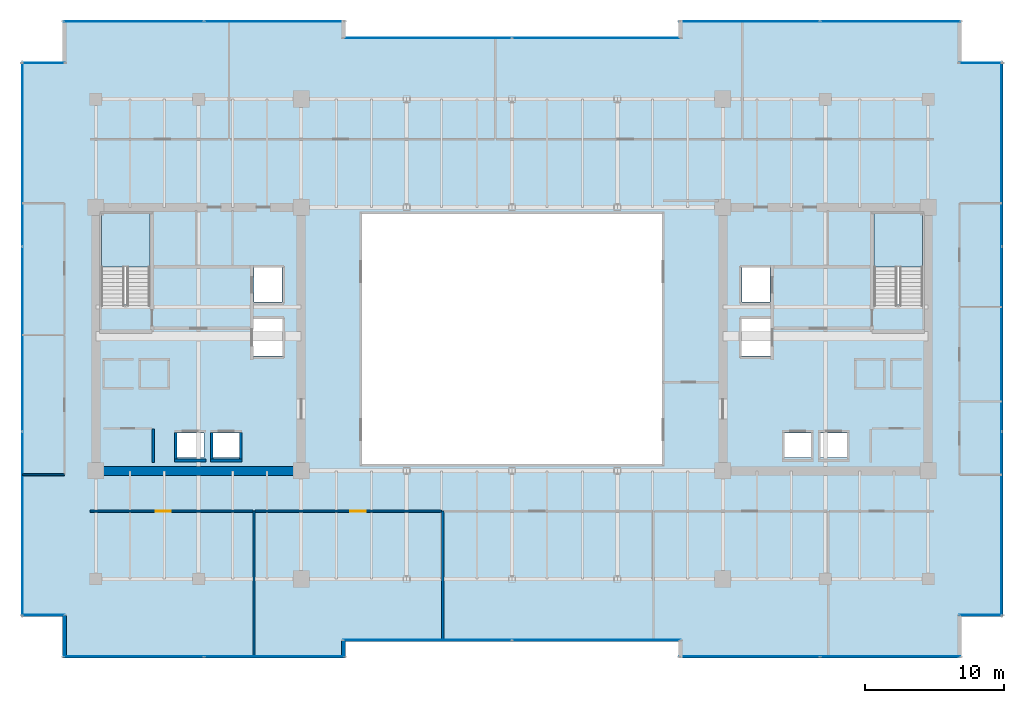
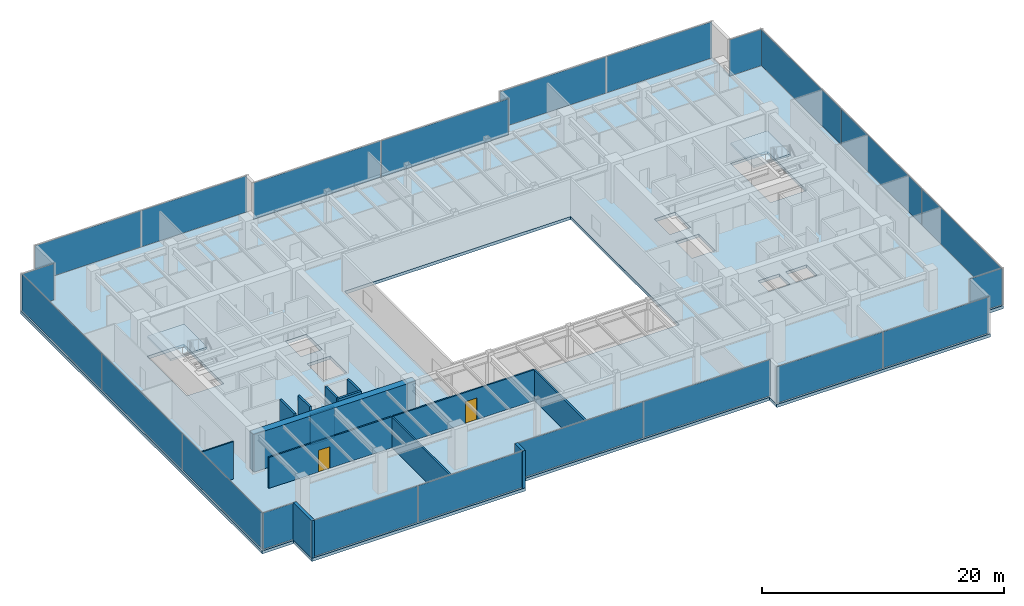
# One storey, part 24 of 30: 22 plates, 14 walls, 3 slabs, 2 doors, 2 openings, 14 elements without a shape of their own.
"""IFC4 building model written with IfcOpenShell, lengths in metres."""

from ifc_helpers import new_model, si_unit, direction, frame, frame_2d, origin, origin_2d, place, context, subcontext, project, spatial, polyline, rectangle, outline, extrude, source, transform, mapped, material, layer, layer_set, type_object, type_shapes, element, fill, aggregate, save


model = new_model("IFC4")

# Units and contexts
model_context = context("Model", 3, precision=1e-05, world=origin(), true_north=direction((0.0, 1.0)))
body_context = subcontext(model_context, "Body", "Model", "MODEL_VIEW")
ifc_project = project(units=[si_unit("LENGTHUNIT", "METRE"), si_unit("AREAUNIT", "SQUARE_METRE"), si_unit("VOLUMEUNIT", "CUBIC_METRE"), si_unit("PLANEANGLEUNIT", "RADIAN"), si_unit("MASSUNIT", "GRAM", prefix="KILO")], contexts=[model_context])

# Site, building, storey
site_placement = place(None, origin())
site = spatial("IfcSite", under=ifc_project, at=site_placement, CompositionType="ELEMENT")
building_placement = place(site_placement, origin())
building = spatial("IfcBuilding", under=site, at=building_placement, Name="Haelvirn Gate Laboratories", CompositionType="ELEMENT")
storey_placement = place(building_placement, frame((0.0, 0.0, 142.0)))
storey = spatial("IfcBuildingStorey", under=building, at=storey_placement, Name="L34", CompositionType="ELEMENT", Elevation=142.0)

# Stair, slab
ifc_material_1 = material(Name="Concrete C40/50", Category="concrete")
stair_type = type_object("IfcStairType", Name="ST-DOG-1650-R22", PredefinedType="HALF_TURN_STAIR", material=ifc_material_1)
stair_1_placement = place(storey_placement, origin())
stair_1 = element("IfcStair", 1, at=stair_1_placement, inside=storey, type_object=stair_type, Name="L34 Escape Stair ST1", PredefinedType="HALF_TURN_STAIR")
ifc_layer_1 = layer(ifc_material_1, 0.199951171875, Name="SL-STAIR-LND")
ifc_layer_set_1 = layer_set([ifc_layer_1], Name="Concrete C40/50")
slab_type_1 = type_object("IfcSlabType", Name="SL-STAIR-LND", PredefinedType="LANDING", material=ifc_layer_set_1)
slab_1_placement = place(storey_placement, frame((0.0, 0.0, 1.85009765625)))
slab_1 = element("IfcSlab", 2, at=slab_1_placement, type_object=slab_type_1, Name="ST1 landing 1", PredefinedType="LANDING", context=body_context, shape_type="SweptSolid", body=[
    extrude(outline(polyline([(11.300048828125, 29.5), (11.300048828125, 33.35009765625), (7.800048828125, 33.35009765625), (7.800048828125, 29.5), (11.300048828125, 29.5)])), origin(), (0.0, 0.0, 1.0), 0.199951171875),
])
aggregate(stair_1, [slab_1])

stair_2_placement = place(storey_placement, origin())
stair_2 = element("IfcStair", 3, at=stair_2_placement, inside=storey, type_object=stair_type, Name="L34 Escape Stair ST2", PredefinedType="HALF_TURN_STAIR")
slab_2_placement = place(storey_placement, frame((0.0, 0.0, 1.85009765625)))
slab_2 = element("IfcSlab", 4, at=slab_2_placement, type_object=slab_type_1, Name="ST2 landing 1", PredefinedType="LANDING", context=body_context, shape_type="SweptSolid", body=[
    extrude(outline(polyline([(67.0, 29.5), (67.0, 33.35009765625), (63.5, 33.35009765625), (63.5, 29.5), (67.0, 29.5)])), origin(), (0.0, 0.0, 1.0), 0.199951171875),
])
aggregate(stair_2, [slab_2])

# Slab
ifc_layer_2 = layer(ifc_material_1, 0.31005859375, Name="SL-Z2-310")
ifc_layer_set_2 = layer_set([ifc_layer_2], Name="Concrete C40/50")
slab_type_2 = type_object("IfcSlabType", Name="SL-Z2-310", PredefinedType="FLOOR", material=ifc_layer_set_2)
slab_3_placement = place(storey_placement, frame((0.0, 0.0, -0.31005859375)))
element("IfcSlab", 5, at=slab_3_placement, inside=storey, type_object=slab_type_2, Name="L34 Structural Slab MAIN", PredefinedType="FLOOR", context=body_context, shape_type="SweptSolid", body=[
    extrude(outline(polyline([(5.0, 1.300048828125), (25.39990234375, 1.300048828125), (25.39990234375, 2.5), (49.39990234375, 2.5), (49.39990234375, 1.300048828125), (69.800048828125, 1.300048828125), (69.800048828125, 4.300048828125), (72.800048828125, 4.300048828125), (72.800048828125, 44.300048828125), (69.800048828125, 44.300048828125), (69.800048828125, 47.300048828125), (49.39990234375, 47.300048828125), (49.39990234375, 46.10009765625), (25.39990234375, 46.10009765625), (25.39990234375, 47.300048828125), (5.0, 47.300048828125), (5.0, 44.300048828125), (2.0, 44.300048828125), (2.0, 4.300048828125), (5.0, 4.300048828125), (5.0, 1.300048828125)]), holes=[polyline([(26.60009765625, 15.300048828125), (48.199951171875, 15.300048828125), (48.199951171875, 33.300048828125), (26.60009765625, 33.300048828125), (26.60009765625, 15.300048828125)]), polyline([(11.300048828125, 26.780029296875), (11.300048828125, 33.35009765625), (7.800048828125, 33.35009765625), (7.800048828125, 26.780029296875), (11.300048828125, 26.780029296875)]), polyline([(67.0, 26.780029296875), (67.0, 33.35009765625), (63.5, 33.35009765625), (63.5, 26.780029296875), (67.0, 26.780029296875)]), polyline([(13.18994140625, 15.77001953125), (15.2099609375, 15.77001953125), (15.2099609375, 17.510009765625), (13.18994140625, 17.510009765625), (13.18994140625, 15.77001953125)]), polyline([(15.7900390625, 15.77001953125), (17.81005859375, 15.77001953125), (17.81005859375, 17.510009765625), (15.7900390625, 17.510009765625), (15.7900390625, 15.77001953125)]), polyline([(18.7900390625, 26.969970703125), (20.81005859375, 26.969970703125), (20.81005859375, 29.510009765625), (18.7900390625, 29.510009765625), (18.7900390625, 26.969970703125)]), polyline([(18.68994140625, 23.070068359375), (20.909912109375, 23.070068359375), (20.909912109375, 25.81005859375), (18.68994140625, 25.81005859375), (18.68994140625, 23.070068359375)]), polyline([(59.590087890625, 15.77001953125), (61.610107421875, 15.77001953125), (61.610107421875, 17.510009765625), (59.590087890625, 17.510009765625), (59.590087890625, 15.77001953125)]), polyline([(56.989990234375, 15.77001953125), (59.010009765625, 15.77001953125), (59.010009765625, 17.510009765625), (56.989990234375, 17.510009765625), (56.989990234375, 15.77001953125)]), polyline([(53.989990234375, 26.969970703125), (56.010009765625, 26.969970703125), (56.010009765625, 29.510009765625), (53.989990234375, 29.510009765625), (53.989990234375, 26.969970703125)]), polyline([(53.889892578125, 23.070068359375), (56.110107421875, 23.070068359375), (56.110107421875, 25.81005859375), (53.889892578125, 25.81005859375), (53.889892578125, 23.070068359375)])]), origin(), (0.0, 0.0, 1.0), 0.31005859375),
])

# Curtain wall, plates
ifc_material_2 = material(Name="Anodised bronze unitised aluminium & triple low-E glass", Category="aluminium")
ifc_layer_3 = layer(ifc_material_2, 0.179931640625, Name="CW-SYS-3")
ifc_layer_set_3 = layer_set([ifc_layer_3], Name="Anodised bronze unitised aluminium & triple low-E glass")
curtain_wall_type_1 = type_object("IfcCurtainWallType", Name="CW-SYS-3", PredefinedType="NOTDEFINED", material=ifc_layer_set_3)
curtain_wall_1_placement = place(storey_placement, origin())
curtain_wall_1 = element("IfcCurtainWall", 6, at=curtain_wall_1_placement, inside=storey, type_object=curtain_wall_type_1, Name="L34 Unitised Curtain Wall CW-L34-P0-E00-1", PredefinedType="NOTDEFINED")
ifc_material_3 = material(Name="High-selectivity bronze triple IGU 40 mm", Category="glass")
ifc_layer_4 = layer(ifc_material_3, 0.0400390625, Name="CWP-IGU-40")
ifc_layer_set_4 = layer_set([ifc_layer_4], Name="High-selectivity bronze triple IGU 40 mm")
plate_type_1 = type_object("IfcPlateType", Name="CWP-IGU-40", PredefinedType="CURTAIN_PANEL", material=ifc_layer_set_4)
shared_shape_1 = source(origin(), body_context, "Body", "SweptSolid", [
    extrude(rectangle(XDim=10.08740234375, YDim=0.0400390625, at=origin_2d()), origin(), (0.0, 0.0, 1.0), 3.659912109375),
])
plate_1_placement = place(storey_placement, frame((10.11865234375, 1.39990234375, 0.06494140625), z_axis=(0.0, 0.0, 1.0), x_axis=(1.0, 0.0, 0.0)))
plate_1 = element("IfcPlate", 7, at=plate_1_placement, type_object=plate_type_1, Name="CW3 panel 1.1", PredefinedType="CURTAIN_PANEL", context=body_context, shape_type="MappedRepresentation", body=[
    mapped(shared_shape_1, transform((0.0, 0.0, 0.0), scale=1.0)),
])
plate_2_placement = place(storey_placement, frame((20.28125, 1.39990234375, 0.06494140625), z_axis=(0.0, 0.0, 1.0), x_axis=(1.0, 0.0, 0.0)))
plate_2 = element("IfcPlate", 8, at=plate_2_placement, type_object=plate_type_1, Name="CW3 panel 2.1", PredefinedType="CURTAIN_PANEL", context=body_context, shape_type="MappedRepresentation", body=[
    mapped(shared_shape_1, transform((0.0, 0.0, 0.0), scale=1.0)),
])
aggregate(curtain_wall_1, [plate_1, plate_2])

curtain_wall_2_placement = place(storey_placement, origin())
curtain_wall_2 = element("IfcCurtainWall", 9, at=curtain_wall_2_placement, inside=storey, type_object=curtain_wall_type_1, Name="L34 Unitised Curtain Wall CW-L34-P0-E04-1", PredefinedType="NOTDEFINED")
plate_3_placement = place(storey_placement, frame((54.518798828125, 1.39990234375, 0.06494140625), z_axis=(0.0, 0.0, 1.0), x_axis=(1.0, 0.0, 0.0)))
plate_3 = element("IfcPlate", 10, at=plate_3_placement, type_object=plate_type_1, Name="CW3 panel 1.1", PredefinedType="CURTAIN_PANEL", context=body_context, shape_type="MappedRepresentation", body=[
    mapped(shared_shape_1, transform((0.0, 0.0, 0.0), scale=1.0)),
])
plate_4_placement = place(storey_placement, frame((64.68115234375, 1.39990234375, 0.06494140625), z_axis=(0.0, 0.0, 1.0), x_axis=(1.0, 0.0, 0.0)))
plate_4 = element("IfcPlate", 11, at=plate_4_placement, type_object=plate_type_1, Name="CW3 panel 2.1", PredefinedType="CURTAIN_PANEL", context=body_context, shape_type="MappedRepresentation", body=[
    mapped(shared_shape_1, transform((0.0, 0.0, 0.0), scale=1.0)),
])
aggregate(curtain_wall_2, [plate_3, plate_4])

curtain_wall_3_placement = place(storey_placement, origin())
curtain_wall_3 = element("IfcCurtainWall", 12, at=curtain_wall_3_placement, inside=storey, type_object=curtain_wall_type_1, Name="L34 Unitised Curtain Wall CW-L34-P0-E10-1", PredefinedType="NOTDEFINED")
plate_5_placement = place(storey_placement, frame((54.518798828125, 47.199951171875, 0.06494140625), z_axis=(0.0, 0.0, 1.0), x_axis=(1.0, 0.0, 0.0)))
plate_5 = element("IfcPlate", 13, at=plate_5_placement, type_object=plate_type_1, Name="CW3 panel 1.1", PredefinedType="CURTAIN_PANEL", context=body_context, shape_type="MappedRepresentation", body=[
    mapped(shared_shape_1, transform((0.0, 0.0, 0.0), scale=1.0)),
])
plate_6_placement = place(storey_placement, frame((64.68115234375, 47.199951171875, 0.06494140625), z_axis=(0.0, 0.0, 1.0), x_axis=(1.0, 0.0, 0.0)))
plate_6 = element("IfcPlate", 14, at=plate_6_placement, type_object=plate_type_1, Name="CW3 panel 2.1", PredefinedType="CURTAIN_PANEL", context=body_context, shape_type="MappedRepresentation", body=[
    mapped(shared_shape_1, transform((0.0, 0.0, 0.0), scale=1.0)),
])
aggregate(curtain_wall_3, [plate_5, plate_6])

curtain_wall_4_placement = place(storey_placement, origin())
curtain_wall_4 = element("IfcCurtainWall", 15, at=curtain_wall_4_placement, inside=storey, type_object=curtain_wall_type_1, Name="L34 Unitised Curtain Wall CW-L34-P0-E14-1", PredefinedType="NOTDEFINED")
plate_7_placement = place(storey_placement, frame((10.11865234375, 47.199951171875, 0.06494140625), z_axis=(0.0, 0.0, 1.0), x_axis=(1.0, 0.0, 0.0)))
plate_7 = element("IfcPlate", 16, at=plate_7_placement, type_object=plate_type_1, Name="CW3 panel 1.1", PredefinedType="CURTAIN_PANEL", context=body_context, shape_type="MappedRepresentation", body=[
    mapped(shared_shape_1, transform((0.0, 0.0, 0.0), scale=1.0)),
])
plate_8_placement = place(storey_placement, frame((20.28125, 47.199951171875, 0.06494140625), z_axis=(0.0, 0.0, 1.0), x_axis=(1.0, 0.0, 0.0)))
plate_8 = element("IfcPlate", 17, at=plate_8_placement, type_object=plate_type_1, Name="CW3 panel 2.1", PredefinedType="CURTAIN_PANEL", context=body_context, shape_type="MappedRepresentation", body=[
    mapped(shared_shape_1, transform((0.0, 0.0, 0.0), scale=1.0)),
])
aggregate(curtain_wall_4, [plate_7, plate_8])

curtain_wall_5_placement = place(storey_placement, origin())
curtain_wall_5 = element("IfcCurtainWall", 18, at=curtain_wall_5_placement, inside=storey, type_object=curtain_wall_type_1, Name="L34 Unitised Curtain Wall CW-L34-P0-E02-1", PredefinedType="NOTDEFINED")
shared_shape_2 = source(origin(), body_context, "Body", "SweptSolid", [
    extrude(rectangle(XDim=12.12744140625, YDim=0.0400390625, at=origin_2d()), origin(), (0.0, 0.0, 1.0), 3.659912109375),
])
plate_9_placement = place(storey_placement, frame((31.298828125, 2.60009765625, 0.06494140625), z_axis=(0.0, 0.0, 1.0), x_axis=(1.0, 0.0, 0.0)))
plate_9 = element("IfcPlate", 19, at=plate_9_placement, type_object=plate_type_1, Name="CW3 panel 1.1", PredefinedType="CURTAIN_PANEL", context=body_context, shape_type="MappedRepresentation", body=[
    mapped(shared_shape_2, transform((0.0, 0.0, 0.0), scale=1.0)),
])
plate_10_placement = place(storey_placement, frame((43.501220703125, 2.60009765625, 0.06494140625), z_axis=(0.0, 0.0, 1.0), x_axis=(1.0, 0.0, 0.0)))
plate_10 = element("IfcPlate", 20, at=plate_10_placement, type_object=plate_type_1, Name="CW3 panel 2.1", PredefinedType="CURTAIN_PANEL", context=body_context, shape_type="MappedRepresentation", body=[
    mapped(shared_shape_2, transform((0.0, 0.0, 0.0), scale=1.0)),
])
aggregate(curtain_wall_5, [plate_9, plate_10])

curtain_wall_6_placement = place(storey_placement, origin())
curtain_wall_6 = element("IfcCurtainWall", 21, at=curtain_wall_6_placement, inside=storey, type_object=curtain_wall_type_1, Name="L34 Unitised Curtain Wall CW-L34-P0-E12-1", PredefinedType="NOTDEFINED")
plate_11_placement = place(storey_placement, frame((31.298828125, 46.0, 0.06494140625), z_axis=(0.0, 0.0, 1.0), x_axis=(1.0, 0.0, 0.0)))
plate_11 = element("IfcPlate", 22, at=plate_11_placement, type_object=plate_type_1, Name="CW3 panel 1.1", PredefinedType="CURTAIN_PANEL", context=body_context, shape_type="MappedRepresentation", body=[
    mapped(shared_shape_2, transform((0.0, 0.0, 0.0), scale=1.0)),
])
plate_12_placement = place(storey_placement, frame((43.501220703125, 46.0, 0.06494140625), z_axis=(0.0, 0.0, 1.0), x_axis=(1.0, 0.0, 0.0)))
plate_12 = element("IfcPlate", 23, at=plate_12_placement, type_object=plate_type_1, Name="CW3 panel 2.1", PredefinedType="CURTAIN_PANEL", context=body_context, shape_type="MappedRepresentation", body=[
    mapped(shared_shape_2, transform((0.0, 0.0, 0.0), scale=1.0)),
])
aggregate(curtain_wall_6, [plate_11, plate_12])

# Curtain wall, plate
ifc_layer_5 = layer(ifc_material_2, 0.181884765625, Name="CW-SYS-5")
ifc_layer_set_5 = layer_set([ifc_layer_5], Name="Anodised bronze unitised aluminium & triple low-E glass")
curtain_wall_type_2 = type_object("IfcCurtainWallType", Name="CW-SYS-5", PredefinedType="NOTDEFINED", material=ifc_layer_set_5)
curtain_wall_7_placement = place(storey_placement, origin())
curtain_wall_7 = element("IfcCurtainWall", 24, at=curtain_wall_7_placement, inside=storey, type_object=curtain_wall_type_2, Name="L34 Unitised Curtain Wall CW-L34-P0-E06-1", PredefinedType="NOTDEFINED")
ifc_material_4 = material(Name="Clear low-iron notched-corner triple IGU 42 mm", Category="glass")
ifc_layer_6 = layer(ifc_material_4, 0.0419921875, Name="CWP-NTC-42")
ifc_layer_set_6 = layer_set([ifc_layer_6], Name="Clear low-iron notched-corner triple IGU 42 mm")
plate_type_2 = type_object("IfcPlateType", Name="CWP-NTC-42", PredefinedType="CURTAIN_PANEL", material=ifc_layer_set_6)
shared_shape_3 = source(origin(), body_context, "Body", "SweptSolid", [
    extrude(rectangle(XDim=3.080078125, YDim=0.0419921875, at=origin_2d()), origin(), (0.0, 0.0, 1.0), 3.659912109375),
])
type_shapes(plate_type_2, [shared_shape_3])
plate_13_placement = place(storey_placement, frame((71.179931640625, 4.39990234375, 0.06494140625), z_axis=(0.0, 0.0, 1.0), x_axis=(1.0, 0.0, 0.0)))
plate_13 = element("IfcPlate", 25, at=plate_13_placement, type_object=plate_type_2, Name="CW5 panel 1.1", PredefinedType="CURTAIN_PANEL", context=body_context, shape_type="MappedRepresentation", body=[
    mapped(shared_shape_3, transform((0.0, 0.0, 0.0), scale=1.0)),
])
aggregate(curtain_wall_7, [plate_13])

curtain_wall_8_placement = place(storey_placement, origin())
curtain_wall_8 = element("IfcCurtainWall", 26, at=curtain_wall_8_placement, inside=storey, type_object=curtain_wall_type_2, Name="L34 Unitised Curtain Wall CW-L34-P0-E08-1", PredefinedType="NOTDEFINED")
plate_14_placement = place(storey_placement, frame((71.179931640625, 44.199951171875, 0.06494140625), z_axis=(0.0, 0.0, 1.0), x_axis=(1.0, 0.0, 0.0)))
plate_14 = element("IfcPlate", 27, at=plate_14_placement, type_object=plate_type_2, Name="CW5 panel 1.1", PredefinedType="CURTAIN_PANEL", context=body_context, shape_type="MappedRepresentation", body=[
    mapped(shared_shape_3, transform((0.0, 0.0, 0.0), scale=1.0)),
])
aggregate(curtain_wall_8, [plate_14])

curtain_wall_9_placement = place(storey_placement, origin())
curtain_wall_9 = element("IfcCurtainWall", 28, at=curtain_wall_9_placement, inside=storey, type_object=curtain_wall_type_2, Name="L34 Unitised Curtain Wall CW-L34-P0-E16-1", PredefinedType="NOTDEFINED")
plate_15_placement = place(storey_placement, frame((3.6201171875, 44.199951171875, 0.06494140625), z_axis=(0.0, 0.0, 1.0), x_axis=(1.0, 0.0, 0.0)))
plate_15 = element("IfcPlate", 29, at=plate_15_placement, type_object=plate_type_2, Name="CW5 panel 1.1", PredefinedType="CURTAIN_PANEL", context=body_context, shape_type="MappedRepresentation", body=[
    mapped(shared_shape_3, transform((0.0, 0.0, 0.0), scale=1.0)),
])
aggregate(curtain_wall_9, [plate_15])

curtain_wall_10_placement = place(storey_placement, origin())
curtain_wall_10 = element("IfcCurtainWall", 30, at=curtain_wall_10_placement, inside=storey, type_object=curtain_wall_type_2, Name="L34 Unitised Curtain Wall CW-L34-P0-E18-1", PredefinedType="NOTDEFINED")
plate_16_placement = place(storey_placement, frame((3.6201171875, 4.39990234375, 0.06494140625), z_axis=(0.0, 0.0, 1.0), x_axis=(1.0, 0.0, 0.0)))
plate_16 = element("IfcPlate", 31, at=plate_16_placement, type_object=plate_type_2, Name="CW5 panel 1.1", PredefinedType="CURTAIN_PANEL", context=body_context, shape_type="MappedRepresentation", body=[
    mapped(shared_shape_3, transform((0.0, 0.0, 0.0), scale=1.0)),
])
aggregate(curtain_wall_10, [plate_16])

# Curtain wall, plates
curtain_wall_11_placement = place(storey_placement, origin())
curtain_wall_11 = element("IfcCurtainWall", 32, at=curtain_wall_11_placement, inside=storey, type_object=curtain_wall_type_1, Name="L34 Unitised Curtain Wall CW-L34-P0-E07", PredefinedType="NOTDEFINED")
shared_shape_4 = source(origin(), body_context, "Body", "SweptSolid", [
    extrude(rectangle(XDim=13.220947265625, YDim=0.0400390625, at=origin_2d()), origin(), (0.0, 0.0, 1.0), 3.659912109375),
])
plate_17_placement = place(storey_placement, frame((72.699951171875, 10.9853515625, 0.06494140625), z_axis=(0.0, 0.0, 1.0), x_axis=(0.0, 1.0, 0.0)))
plate_17 = element("IfcPlate", 33, at=plate_17_placement, type_object=plate_type_1, Name="CW3 panel 1.1", PredefinedType="CURTAIN_PANEL", context=body_context, shape_type="MappedRepresentation", body=[
    mapped(shared_shape_4, transform((0.0, 0.0, 0.0), scale=1.0)),
])
plate_18_placement = place(storey_placement, frame((72.699951171875, 37.614501953125, 0.06494140625), z_axis=(0.0, 0.0, 1.0), x_axis=(0.0, 1.0, 0.0)))
plate_18 = element("IfcPlate", 34, at=plate_18_placement, type_object=plate_type_1, Name="CW3 panel 3.1", PredefinedType="CURTAIN_PANEL", context=body_context, shape_type="MappedRepresentation", body=[
    mapped(shared_shape_4, transform((0.0, 0.0, 0.0), scale=1.0)),
])

curtain_wall_12_placement = place(storey_placement, origin())
curtain_wall_12 = element("IfcCurtainWall", 35, at=curtain_wall_12_placement, inside=storey, type_object=curtain_wall_type_1, Name="L34 Unitised Curtain Wall CW-L34-P0-E17", PredefinedType="NOTDEFINED")
plate_19_placement = place(storey_placement, frame((2.10009765625, 37.614501953125, 0.06494140625), z_axis=(0.0, 0.0, 1.0), x_axis=(0.0, -1.0, 0.0)))
plate_19 = element("IfcPlate", 36, at=plate_19_placement, type_object=plate_type_1, Name="CW3 panel 1.1", PredefinedType="CURTAIN_PANEL", context=body_context, shape_type="MappedRepresentation", body=[
    mapped(shared_shape_4, transform((0.0, 0.0, 0.0), scale=1.0)),
])
plate_20_placement = place(storey_placement, frame((2.10009765625, 10.9853515625, 0.06494140625), z_axis=(0.0, 0.0, 1.0), x_axis=(0.0, -1.0, 0.0)))
plate_20 = element("IfcPlate", 37, at=plate_20_placement, type_object=plate_type_1, Name="CW3 panel 3.1", PredefinedType="CURTAIN_PANEL", context=body_context, shape_type="MappedRepresentation", body=[
    mapped(shared_shape_4, transform((0.0, 0.0, 0.0), scale=1.0)),
])

# Plate
shared_shape_5 = source(origin(), body_context, "Body", "SweptSolid", [
    extrude(rectangle(XDim=13.25830078125, YDim=0.0400390625, at=origin_2d()), origin(), (0.0, 0.0, 1.0), 3.659912109375),
])
type_shapes(plate_type_1, [shared_shape_1, shared_shape_2, shared_shape_4, shared_shape_5])
plate_21_placement = place(storey_placement, frame((72.699951171875, 24.300048828125, 0.06494140625), z_axis=(0.0, 0.0, 1.0), x_axis=(0.0, 1.0, 0.0)))
plate_21 = element("IfcPlate", 38, at=plate_21_placement, type_object=plate_type_1, Name="CW3 panel 2.1", PredefinedType="CURTAIN_PANEL", context=body_context, shape_type="MappedRepresentation", body=[
    mapped(shared_shape_5, transform((0.0, 0.0, 0.0), scale=1.0)),
])

aggregate(curtain_wall_11, [plate_17, plate_21, plate_18])

plate_22_placement = place(storey_placement, frame((2.10009765625, 24.300048828125, 0.06494140625), z_axis=(0.0, 0.0, 1.0), x_axis=(0.0, -1.0, 0.0)))
plate_22 = element("IfcPlate", 39, at=plate_22_placement, type_object=plate_type_1, Name="CW3 panel 2.1", PredefinedType="CURTAIN_PANEL", context=body_context, shape_type="MappedRepresentation", body=[
    mapped(shared_shape_5, transform((0.0, 0.0, 0.0), scale=1.0)),
])

aggregate(curtain_wall_12, [plate_19, plate_22, plate_20])

# Walls
ifc_material_5 = material(Name="Thermally-broken bronze aluminium rainscreen & mineral wool", Category="aluminium")
ifc_layer_7 = layer(ifc_material_5, 0.280029296875, Name="EW-TERR-280")
ifc_layer_set_7 = layer_set([ifc_layer_7], Name="Thermally-broken bronze aluminium rainscreen & mineral wool")
wall_type_1 = type_object("IfcWallType", Name="EW-TERR-280", PredefinedType="STANDARD", material=ifc_layer_set_7)
wall_1_placement = place(storey_placement, frame((25.260009765625, 1.300048828125, 0.0), z_axis=(0.0, 0.0, 1.0), x_axis=(0.0, 1.0, 0.0)))
element("IfcWall", 40, at=wall_1_placement, inside=storey, type_object=wall_type_1, Name="L34 Atrium Recess Bronze Return Wall 01", PredefinedType="STANDARD", context=body_context, shape_type="SweptSolid", body=[
    extrude(rectangle(XDim=1.287841796875, YDim=0.280029296875, at=frame_2d((0.64404296875, 0.0))), origin(), (0.0, 0.0, 1.0), 3.7900390625),
])
wall_2_placement = place(storey_placement, frame((5.139892578125, 4.387939453125, 0.0), z_axis=(0.0, 0.0, 1.0), x_axis=(0.0, -1.0, 0.0)))
element("IfcWall", 41, at=wall_2_placement, inside=storey, type_object=wall_type_1, Name="L34 Atrium Recess Bronze Return Wall 19", PredefinedType="STANDARD", context=body_context, shape_type="SweptSolid", body=[
    extrude(rectangle(XDim=3.087890625, YDim=0.280029296875, at=frame_2d((1.5439453125, 0.0))), origin(), (0.0, 0.0, 1.0), 3.7900390625),
])
ifc_material_6 = material(Name="Double-layer acoustic gypsum laboratory partition", Category="gypsum")
ifc_layer_8 = layer(ifc_material_6, 0.159912109375, Name="IW-ACOUST-160")
ifc_layer_set_8 = layer_set([ifc_layer_8], Name="Double-layer acoustic gypsum laboratory partition")
wall_type_2 = type_object("IfcWallType", Name="IW-ACOUST-160", PredefinedType="PARTITIONING", material=ifc_layer_set_8)
wall_3_placement = place(storey_placement, frame((18.800048828125, 1.409912109375, 0.0), z_axis=(0.0, 0.0, 1.0), x_axis=(0.0, 1.0, 0.0)))
element("IfcWall", 42, at=wall_3_placement, inside=storey, type_object=wall_type_2, Name="L34 Interior Wall IW-L34-SDIV-01", PredefinedType="PARTITIONING", context=body_context, shape_type="SweptSolid", body=[
    extrude(rectangle(XDim=10.47998046875, YDim=0.159912109375, at=frame_2d((5.239990234375, 0.0))), origin(), (0.0, 0.0, 1.0), 3.074951171875),
])
wall_4_placement = place(storey_placement, frame((32.39990234375, 2.610107421875, 0.0), z_axis=(0.0, 0.0, 1.0), x_axis=(0.0, 1.0, 0.0)))
element("IfcWall", 43, at=wall_4_placement, inside=storey, type_object=wall_type_2, Name="L34 Interior Wall IW-L34-SDIV-02", PredefinedType="PARTITIONING", context=body_context, shape_type="SweptSolid", body=[
    extrude(rectangle(XDim=9.27978515625, YDim=0.159912109375, at=frame_2d((4.639892578125, 0.0))), origin(), (0.0, 0.0, 1.0), 3.074951171875),
])
ifc_material_7 = material(Name="Lightweight acoustic gypsum board partition", Category="gypsum")
ifc_layer_9 = layer(ifc_material_7, 0.1201171875, Name="IW-PART-120")
ifc_layer_set_9 = layer_set([ifc_layer_9], Name="Lightweight acoustic gypsum board partition")
wall_type_3 = type_object("IfcWallType", Name="IW-PART-120", PredefinedType="PARTITIONING", material=ifc_layer_set_9)
wall_5_placement = place(storey_placement, frame((2.110107421875, 14.514892578125, 0.0), z_axis=(0.0, 0.0, 1.0), x_axis=(1.0, 0.0, 0.0)))
element("IfcWall", 44, at=wall_5_placement, inside=storey, type_object=wall_type_3, Name="L34 Interior Wall IW-L34-WCAP-S", PredefinedType="PARTITIONING", context=body_context, shape_type="SweptSolid", body=[
    extrude(rectangle(XDim=3.019775390625, YDim=0.1201171875, at=frame_2d((1.509765625, 0.0))), origin(), (0.0, 0.0, 1.0), 3.7900390625),
])

# Wall, opening, door
ifc_material_8 = material(Name="Acoustic mineral-wool gypsum board partition", Category="gypsum")
ifc_layer_10 = layer(ifc_material_8, 0.139892578125, Name="IW-PART-140")
ifc_layer_set_10 = layer_set([ifc_layer_10], Name="Acoustic mineral-wool gypsum board partition")
wall_type_4 = type_object("IfcWallType", Name="IW-PART-140", PredefinedType="PARTITIONING", material=ifc_layer_set_10)
wall_6_placement = place(storey_placement, frame((6.97998046875, 11.889892578125, 0.0), z_axis=(0.0, 0.0, 1.0), x_axis=(1.0, 0.0, 0.0)))
wall_6 = element("IfcWall", 45, at=wall_6_placement, inside=storey, type_object=wall_type_4, Name="L34 Interior Wall IW-L34-SCORR-01", PredefinedType="PARTITIONING", context=body_context, shape_type="SweptSolid", body=[
    extrude(rectangle(XDim=11.739990234375, YDim=0.139892578125, at=frame_2d((5.8701171875, 0.0))), origin(), (0.0, 0.0, 1.0), 3.125),
])
opening_1_placement = place(wall_6_placement, frame((4.7236328125, 0.0, 0.0)))
opening_1 = element("IfcOpeningElement", 46, at=opening_1_placement, cuts=wall_6, Name="Opening D1", PredefinedType="OPENING", context=body_context, shape_type="SweptSolid", body=[
    extrude(rectangle(XDim=1.10009765625, YDim=2.179931640625, at=frame_2d((0.550048828125, 1.08984375))), frame((0.0, 0.080078125, 0.0), z_axis=(0.0, -1.0, 0.0), x_axis=(1.0, 0.0, 0.0)), (0.0, 0.0, 1.0), 0.159912109375),
])
ifc_material_9 = material(Name="Vision-panel acoustic solid-core timber lab door", Category="wood")
door_type = type_object("IfcDoorType", Name="DR-LAB-1100", OperationType="NOTDEFINED", PredefinedType="DOOR", material=ifc_material_9)
shared_shape_6 = source(origin(), body_context, "Body", "SweptSolid", [
    extrude(rectangle(XDim=1.10009765625, YDim=2.179931640625, at=frame_2d((0.550048828125, 1.08984375))), frame((0.0, 0.02490234375, 0.0), z_axis=(0.0, -1.0, 0.0), x_axis=(1.0, 0.0, 0.0)), (0.0, 0.0, 1.0), 0.050048828125),
])
type_shapes(door_type, [shared_shape_6])
door_1_placement = place(opening_1_placement, origin())
door_1 = element("IfcDoor", 47, at=door_1_placement, inside=storey, type_object=door_type, Name="L34 Translational Data Office Door S1", OperationType="SINGLE_SWING_LEFT", OverallHeight=2.179931640625, OverallWidth=1.10009765625, PredefinedType="DOOR", context=body_context, shape_type="MappedRepresentation", body=[
    mapped(shared_shape_6, transform((0.0, 0.0, 0.0), scale=1.0)),
])
fill(opening_1, door_1)

wall_7_placement = place(storey_placement, frame((18.8798828125, 11.889892578125, 0.0), z_axis=(0.0, 0.0, 1.0), x_axis=(1.0, 0.0, 0.0)))
wall_7 = element("IfcWall", 48, at=wall_7_placement, inside=storey, type_object=wall_type_4, Name="L34 Interior Wall IW-L34-SCORR-02", PredefinedType="PARTITIONING", context=body_context, shape_type="SweptSolid", body=[
    extrude(rectangle(XDim=13.440185546875, YDim=0.139892578125, at=frame_2d((6.72021484375, 0.0))), origin(), (0.0, 0.0, 1.0), 3.125),
])
opening_2_placement = place(wall_7_placement, frame((6.868408203125, 0.0, 0.0)))
opening_2 = element("IfcOpeningElement", 49, at=opening_2_placement, cuts=wall_7, Name="Opening D1", PredefinedType="OPENING", context=body_context, shape_type="SweptSolid", body=[
    extrude(rectangle(XDim=1.10009765625, YDim=2.179931640625, at=frame_2d((0.550048828125, 1.08984375))), frame((0.0, 0.080078125, 0.0), z_axis=(0.0, -1.0, 0.0), x_axis=(1.0, 0.0, 0.0)), (0.0, 0.0, 1.0), 0.159912109375),
])
door_2_placement = place(opening_2_placement, origin())
door_2 = element("IfcDoor", 50, at=door_2_placement, inside=storey, type_object=door_type, Name="L34 Computational Write-Up Office Door S2", OperationType="SINGLE_SWING_RIGHT", OverallHeight=2.179931640625, OverallWidth=1.10009765625, PredefinedType="DOOR", context=body_context, shape_type="MappedRepresentation", body=[
    mapped(shared_shape_6, transform((0.0, 0.0, 0.0), scale=1.0)),
])
fill(opening_2, door_2)

# Walls
ifc_layer_11 = layer(ifc_material_1, 0.179931640625, Name="IW-SHAFT-180")
ifc_layer_set_11 = layer_set([ifc_layer_11], Name="Concrete C40/50")
wall_type_5 = type_object("IfcWallType", Name="IW-SHAFT-180", PredefinedType="SOLIDWALL", material=ifc_layer_set_11)
for number, where, z_axis, x_axis, name in (
    (51, (13.14990234375, 15.64990234375, 0.0), (0.0, 0.0, 1.0), (0.0, 1.0, 0.0), "L34 Interior Wall IW-L34-PL5-SD"),
    (52, (15.75, 15.64990234375, 0.0), (0.0, 0.0, 1.0), (0.0, 1.0, 0.0), "L34 Interior Wall IW-L34-PL6-SD"),
    (53, (17.85009765625, 15.64990234375, 0.0), (0.0, 0.0, 1.0), (0.0, 1.0, 0.0), "L34 Interior Wall IW-L34-PL6-SDE"),
):
    element("IfcWall", number, at=place(storey_placement, frame(where, z_axis=z_axis, x_axis=x_axis)), inside=storey, type_object=wall_type_5, Name=name, PredefinedType="SOLIDWALL", context=body_context, shape_type="SweptSolid", body=[
        extrude(rectangle(XDim=1.900146484375, YDim=0.179931640625, at=frame_2d((0.9501953125, 0.0))), origin(), (0.0, 0.0, 1.0), 3.7900390625),
    ])
wall_8_placement = place(storey_placement, frame((11.5400390625, 15.39990234375, 0.0), z_axis=(0.0, 0.0, 1.0), x_axis=(0.0, 1.0, 0.0)))
element("IfcWall", 54, at=wall_8_placement, inside=storey, type_object=wall_type_5, Name="L34 Interior Wall IW-L34-W-FREED-LE-1", PredefinedType="SOLIDWALL", context=body_context, shape_type="SweptSolid", body=[
    extrude(rectangle(XDim=2.400146484375, YDim=0.179931640625, at=frame_2d((1.2001953125, 0.0))), origin(), (0.0, 0.0, 1.0), 3.7900390625),
])
ifc_layer_12 = layer(ifc_material_1, 0.199951171875, Name="IW-SHAFT-200")
ifc_layer_set_12 = layer_set([ifc_layer_12], Name="Concrete C40/50")
wall_type_6 = type_object("IfcWallType", Name="IW-SHAFT-200", PredefinedType="SOLIDWALL", material=ifc_layer_set_12)
wall_9_placement = place(storey_placement, frame((13.070068359375, 15.550048828125, 0.0), z_axis=(0.0, 0.0, 1.0), x_axis=(1.0, 0.0, 0.0)))
element("IfcWall", 55, at=wall_9_placement, inside=storey, type_object=wall_type_6, Name="L34 Interior Wall IW-L34-PL5-BK", PredefinedType="SOLIDWALL", context=body_context, shape_type="SweptSolid", body=[
    extrude(rectangle(XDim=2.260009765625, YDim=0.199951171875, at=frame_2d((1.1298828125, 0.0))), origin(), (0.0, 0.0, 1.0), 3.125),
])
wall_10_placement = place(storey_placement, frame((15.669921875, 15.550048828125, 0.0), z_axis=(0.0, 0.0, 1.0), x_axis=(1.0, 0.0, 0.0)))
element("IfcWall", 56, at=wall_10_placement, inside=storey, type_object=wall_type_6, Name="L34 Interior Wall IW-L34-PL6-BK", PredefinedType="SOLIDWALL", context=body_context, shape_type="SweptSolid", body=[
    extrude(rectangle(XDim=2.260009765625, YDim=0.199951171875, at=frame_2d((1.1298828125, 0.0))), origin(), (0.0, 0.0, 1.0), 3.7900390625),
])
ifc_material_10 = material(Name="Concrete C60/75", Category="concrete")
ifc_layer_13 = layer(ifc_material_10, 0.64990234375, Name="SW-CORE-650")
ifc_layer_set_13 = layer_set([ifc_layer_13], Name="Concrete C60/75")
wall_type_7 = type_object("IfcWallType", Name="SW-CORE-650", PredefinedType="SHEAR", material=ifc_layer_set_13)
wall_11_placement = place(storey_placement, frame((7.074951171875, 14.800048828125, 0.0), z_axis=(0.0, 0.0, 1.0), x_axis=(1.0, 0.0, 0.0)))
element("IfcWall", 57, at=wall_11_placement, inside=storey, type_object=wall_type_7, Name="L34 W Core Shear Wall S", PredefinedType="SHEAR", context=body_context, shape_type="SweptSolid", body=[
    extrude(rectangle(XDim=15.449951171875, YDim=0.64990234375, at=frame_2d((7.72509765625, 0.0))), origin(), (0.0, 0.0, 1.0), 3.7900390625),
])

save(model, "model.ifc")
